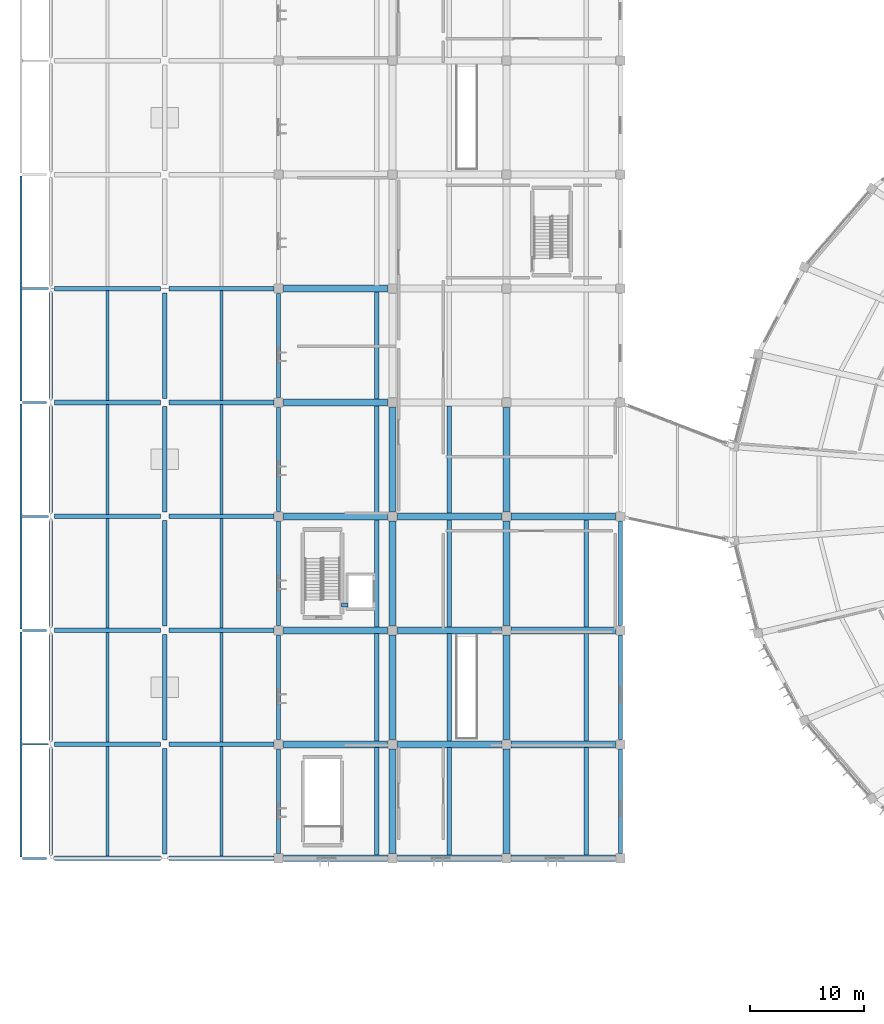
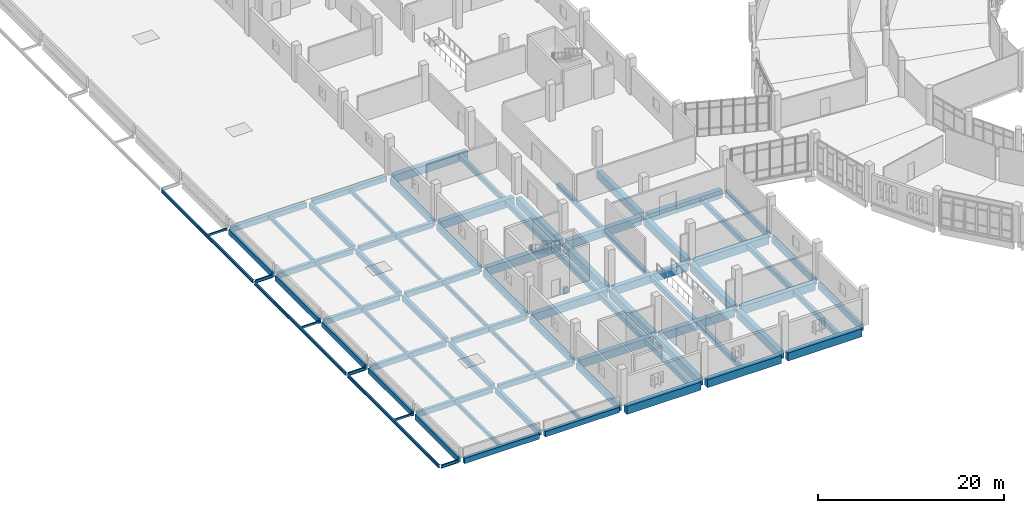
# One storey, part 4 of 179: 81 beams, 3 members.
"""IFC4 building model written with IfcOpenShell, lengths in metres."""

import ifcopenshell
import ifcopenshell.guid

model = None  # the IFC model being written
_history = None  # IfcOwnerHistory: only IFC2X3 demands one
_inside = {}  # id of a spatial element -> (the spatial element, [elements in it])
_under = {}  # id of a project, library or spatial element -> (it, [spatial elements below it])
_declared = {}  # id of a project -> (the project, [libraries it declares])
_typed = {}  # id of a type object -> (the type object, [elements of that type])
_made_of = {}  # id of a material, layer set ... -> (it, [elements and type objects made of it])


def new_model(schema):
    """Start an empty IFC model of exactly this schema.

    Asked for "IFC4X3", IfcOpenShell would pick the latest addendum, in which some entities
    have other attributes; the version numbers below select the first issue.
    IFC2X3 requires an IfcOwnerHistory on every rooted entity: one is made here for all.
    """
    global model, _history
    if schema == "IFC4X3":
        model = ifcopenshell.file(schema_version=(4, 3, 0, 0))
    else:
        model = ifcopenshell.file(schema=schema)
    _inside.clear()
    _under.clear()
    _declared.clear()
    _typed.clear()
    _made_of.clear()
    _history = None
    if model.schema == "IFC2X3":
        org = make("IfcOrganization", Name="unknown")
        user = make(
            "IfcPersonAndOrganization",
            ThePerson=make("IfcPerson", FamilyName="unknown"),
            TheOrganization=org,
        )
        app = make(
            "IfcApplication",
            ApplicationDeveloper=org,
            Version="unknown",
            ApplicationFullName="unknown",
            ApplicationIdentifier="unknown",
        )
        _history = make(
            "IfcOwnerHistory",
            OwningUser=user,
            OwningApplication=app,
            ChangeAction="ADDED",
            CreationDate=0,
        )
    return model


def make(cls, **values):
    """One entity of the class cls with the attributes given. An attribute that is None is left unset."""
    return model.create_entity(
        cls, **{name: value for name, value in values.items() if value is not None}
    )


def rooted(cls, **values):
    """An entity with a GlobalId (a new one), such as an element, a storey or a relation."""
    return make(cls, GlobalId=ifcopenshell.guid.new(), OwnerHistory=_history, **values)


def si_unit(unit_type, name, prefix=None):
    """IfcSIUnit, for example si_unit("LENGTHUNIT", "METRE", prefix="MILLI")."""
    return make("IfcSIUnit", UnitType=unit_type, Prefix=prefix, Name=name)


def assignment(units):
    """IfcUnitAssignment: the units of a project."""
    return None if units is None else make("IfcUnitAssignment", Units=units)


def point(xyz):
    """IfcCartesianPoint."""
    return None if xyz is None else make("IfcCartesianPoint", Coordinates=xyz)


def direction(xyz):
    """IfcDirection."""
    return None if xyz is None else make("IfcDirection", DirectionRatios=xyz)


def frame(location, z_axis=None, x_axis=None):
    """IfcAxis2Placement3D, a coordinate frame: its origin and axes. An axis left out is left unset."""
    return make(
        "IfcAxis2Placement3D",
        Location=point(location),
        Axis=direction(z_axis),
        RefDirection=direction(x_axis),
    )


def frame_2d(location, x_axis=None):
    """IfcAxis2Placement2D, a coordinate frame in the plane: its origin and x axis."""
    return make(
        "IfcAxis2Placement2D", Location=point(location), RefDirection=direction(x_axis)
    )


def origin():
    """The frame at (0, 0, 0) with its axes left unset."""
    return frame((0.0, 0.0, 0.0))


def origin_2d():
    """The frame at (0, 0) in the plane with its x axis left unset."""
    return frame_2d((0.0, 0.0))


def place(relative_to, where):
    """IfcLocalPlacement: puts the frame where relative to a parent placement (None: the world)."""
    return make(
        "IfcLocalPlacement", PlacementRelTo=relative_to, RelativePlacement=where
    )


def context(
    kind, dimensions, precision=None, world=None, true_north=None, identifier=None
):
    """IfcGeometricRepresentationContext, for example the 3D "Model" context."""
    return make(
        "IfcGeometricRepresentationContext",
        ContextIdentifier=identifier,
        ContextType=kind,
        CoordinateSpaceDimension=dimensions,
        Precision=precision,
        WorldCoordinateSystem=world,
        TrueNorth=true_north,
    )


def subcontext(parent, identifier, kind, view, scale=None):
    """IfcGeometricRepresentationSubContext, for example "Body" below "Model"."""
    return make(
        "IfcGeometricRepresentationSubContext",
        ContextIdentifier=identifier,
        ContextType=kind,
        ParentContext=parent,
        TargetScale=scale,
        TargetView=view,
    )


def project(units=None, contexts=None):
    """IfcProject with its units and contexts."""
    return rooted(
        "IfcProject",
        Name="project",
        RepresentationContexts=contexts,
        UnitsInContext=assignment(units),
    )


def spatial(cls, under=None, at=None, **own):
    """A site, building, storey or space (cls), placed at a placement, below another one or the project."""
    s = rooted(cls, ObjectPlacement=at, **own)
    if under is not None:
        _under.setdefault(under.id(), (under, []))[1].append(s)
    return s


def profile(cls, at=None, kind="AREA", **sizes):
    """A parametric profile (cls). Its sizes go by their IFC names, for example OverallWidth=200.0."""
    return make(cls, ProfileType=kind, Position=at, **sizes)


def rectangle(**sizes):
    """IfcRectangleProfileDef."""
    return profile("IfcRectangleProfileDef", **sizes)


def hollow_rectangle(**sizes):
    """IfcRectangleHollowProfileDef."""
    return profile("IfcRectangleHollowProfileDef", **sizes)


def i_section(**sizes):
    """IfcIShapeProfileDef."""
    return profile("IfcIShapeProfileDef", **sizes)


def extrude(swept, where, along, depth):
    """IfcExtrudedAreaSolid: the profile swept, set in the frame where, extruded along a direction by depth."""
    return make(
        "IfcExtrudedAreaSolid",
        SweptArea=swept,
        Position=where,
        ExtrudedDirection=direction(along),
        Depth=depth,
    )


def shape(context_of_items, identifier, shape_type, items):
    """IfcShapeRepresentation: the items that make up one representation, for example the "Body"."""
    return make(
        "IfcShapeRepresentation",
        ContextOfItems=context_of_items,
        RepresentationIdentifier=identifier,
        RepresentationType=shape_type,
        Items=items,
    )


def material(Name=None, Category=None):
    """IfcMaterial."""
    return make("IfcMaterial", Name=Name, Category=Category)


def material_profile(
    of_material, cross_section, Name=None, Category=None, Priority=None
):
    """IfcMaterialProfile: a cross section and its material."""
    return make(
        "IfcMaterialProfile",
        Name=Name,
        Material=of_material,
        Profile=cross_section,
        Priority=Priority,
        Category=Category,
    )


def profile_set(profiles, Name=None, composite=None):
    """IfcMaterialProfileSet."""
    return make(
        "IfcMaterialProfileSet",
        Name=Name,
        MaterialProfiles=profiles,
        CompositeProfile=composite,
    )


def made_of(thing, what):
    """Note that an element or type object is made of a material, layer set ...; save() writes the relation."""
    if what is not None:
        _made_of.setdefault(what.id(), (what, []))[1].append(thing)
    return thing


def type_object(cls, material=None, **own):
    """A type object (cls), such as IfcWallType, which elements share."""
    return made_of(rooted(cls, **own), material)


def element(
    cls,
    number,
    at=None,
    inside=None,
    cuts=None,
    type_object=None,
    material=None,
    context=None,
    identifier="Body",
    shape_type=None,
    held_by="IfcProductDefinitionShape",
    body=None,
    shapes=None,
    **own,
):
    """One element of the class cls, such as IfcWall. Its Tag is "e" and its number.

    at: its placement. inside: the storey or other place that contains it. cuts: it is an
    opening in that element (IfcRelVoidsElement). A single representation is given by context,
    identifier, shape_type and body (its items); several are given by shapes. held_by: the class
    of the entity that holds the representations. save() writes the other relations.
    """
    e = rooted(cls, Tag="e%d" % number, ObjectPlacement=at, **own)
    if body is not None:
        shapes = [shape(context, identifier, shape_type, body)]
    if shapes is not None:
        e.Representation = make(held_by, Representations=shapes)
    if inside is not None:
        _inside.setdefault(inside.id(), (inside, []))[1].append(e)
    if cuts is not None:
        rooted(
            "IfcRelVoidsElement", RelatingBuildingElement=cuts, RelatedOpeningElement=e
        )
    if type_object is not None:
        _typed.setdefault(type_object.id(), (type_object, []))[1].append(e)
    return made_of(e, material)


def aggregate(whole, parts):
    """IfcRelAggregates: a whole, such as a stair, and the parts it consists of."""
    return rooted("IfcRelAggregates", RelatingObject=whole, RelatedObjects=parts)


def save(model, path):
    """Write the relations noted so far, then the file.

    IfcRelAggregates (storeys below a building ...), IfcRelContainedInSpatialStructure (elements
    in a storey), IfcRelDefinesByType, IfcRelAssociatesMaterial and IfcRelDeclares: one each for
    every whole, place, type object, material and project.
    """
    for whole, parts in _under.values():
        aggregate(whole, parts)
    for where, things in _inside.values():
        rooted(
            "IfcRelContainedInSpatialStructure",
            RelatedElements=things,
            RelatingStructure=where,
        )
    for kind, things in _typed.values():
        rooted("IfcRelDefinesByType", RelatedObjects=things, RelatingType=kind)
    for what, things in _made_of.values():
        rooted("IfcRelAssociatesMaterial", RelatedObjects=things, RelatingMaterial=what)
    for by, libraries in _declared.values():
        rooted("IfcRelDeclares", RelatingContext=by, RelatedDefinitions=libraries)
    model.write(path)


model = new_model("IFC4")

# Units and contexts
model_context = context("Model", 3, precision=1e-05, world=origin(), true_north=direction((0.0, 1.0)))
body_context = subcontext(model_context, "Body", "Model", "MODEL_VIEW")
ifc_project = project(units=[si_unit("LENGTHUNIT", "METRE"), si_unit("AREAUNIT", "SQUARE_METRE"), si_unit("VOLUMEUNIT", "CUBIC_METRE"), si_unit("PLANEANGLEUNIT", "RADIAN"), si_unit("MASSUNIT", "GRAM", prefix="KILO")], contexts=[model_context])

# Site, building, storey
site_placement = place(None, origin())
site = spatial("IfcSite", under=ifc_project, at=site_placement, CompositionType="ELEMENT")
building_placement = place(site_placement, origin())
building = spatial("IfcBuilding", under=site, at=building_placement, Name="Corvandel Quay Wholesale Market", CompositionType="ELEMENT")
storey_placement = place(building_placement, frame((0.0, 0.0, 6.0)))
storey = spatial("IfcBuildingStorey", under=building, at=storey_placement, Name="L01", CompositionType="ELEMENT", Elevation=6.0)

# Members
ifc_material_1 = material(Name="Steel A500 Grade C", Category="steel")
ifc_material_profile_1 = material_profile(ifc_material_1, hollow_rectangle(XDim=0.152099609375, YDim=0.25390625, WallThickness=0.0087890625, at=origin_2d()), Name="HSS10X6X3/8")
ifc_profile_set_1 = profile_set([ifc_material_profile_1], Name="Steel A500 Grade C")
member_type = type_object("IfcMemberType", Name="Canopy Outrigger Rafter RF04 HSS10X6", PredefinedType="RAFTER", material=ifc_profile_set_1)
for number, where, z_axis, x_axis, name in (
    (1, (-0.179931640625, 20.0, -0.35009765625), (-1.0, 0.0, 0.0), (0.0, -1.0, 0.0), "Member MEM-0116"),
    (2, (-0.179931640625, 40.0, -0.35009765625), (-1.0, 0.0, 0.0), (0.0, -1.0, 0.0), "Member MEM-0117"),
    (3, (-0.179931640625, 60.0, -0.35009765625), (-1.0, 0.0, 0.0), (0.0, -1.0, 0.0), "Member MEM-0118"),
):
    element("IfcMember", number, at=place(storey_placement, frame(where, z_axis=z_axis, x_axis=x_axis)), inside=storey, type_object=member_type, Name=name, PredefinedType="RAFTER", context=body_context, shape_type="SweptSolid", body=[
        extrude(hollow_rectangle(XDim=0.152099609375, YDim=0.25390625, WallThickness=0.0087890625, at=origin_2d()), origin(), (0.0, 0.0, 1.0), 2.300048828125),
    ])

# Beams
ifc_material_2 = material(Name="Steel A992 Grade 50", Category="steel")
ifc_material_profile_2 = material_profile(ifc_material_2, i_section(OverallWidth=0.177978515625, OverallDepth=0.406005859375, WebThickness=0.0078125, FlangeThickness=0.0126953125, at=origin_2d()), Name="W16X40")
ifc_profile_set_2 = profile_set([ifc_material_profile_2], Name="Steel A992 Grade 50")
beam_type_1 = type_object("IfcBeamType", Name="Canopy Steel Edge Beam SB01 W16X40", PredefinedType="BEAM", material=ifc_profile_set_2)
for number, where, z_axis, x_axis, name in (
    (4, (-2.4775390625, 10.0, -0.403076171875), (1.0, 0.0, 0.0), (0.0, 1.0, 0.0), "Beam BM-0985"),
    (5, (-2.4775390625, 30.0, -0.403076171875), (1.0, 0.0, 0.0), (0.0, 1.0, 0.0), "Beam BM-0986"),
    (6, (-2.4775390625, 50.0, -0.403076171875), (1.0, 0.0, 0.0), (0.0, 1.0, 0.0), "Beam BM-0987"),
):
    element("IfcBeam", number, at=place(storey_placement, frame(where, z_axis=z_axis, x_axis=x_axis)), inside=storey, type_object=beam_type_1, Name=name, PredefinedType="BEAM", context=body_context, shape_type="SweptSolid", body=[
        extrude(i_section(OverallWidth=0.177978515625, OverallDepth=0.406005859375, WebThickness=0.0078125, FlangeThickness=0.0126953125, at=origin_2d()), origin(), (0.0, 0.0, 1.0), 2.132568359375),
    ])
for number, where, z_axis, x_axis, name in (
    (7, (-2.60009765625, 10.12255859375, -0.403076171875), (0.0, 1.0, 0.0), (-1.0, 0.0, 0.0), "Beam BM-0991"),
    (8, (-2.60009765625, 30.12255859375, -0.403076171875), (0.0, 1.0, 0.0), (-1.0, 0.0, 0.0), "Beam BM-0992"),
    (9, (-2.60009765625, 50.12255859375, -0.403076171875), (0.0, 1.0, 0.0), (-1.0, 0.0, 0.0), "Beam BM-0993"),
):
    element("IfcBeam", number, at=place(storey_placement, frame(where, z_axis=z_axis, x_axis=x_axis)), inside=storey, type_object=beam_type_1, Name=name, PredefinedType="BEAM", context=body_context, shape_type="SweptSolid", body=[
        extrude(i_section(OverallWidth=0.177978515625, OverallDepth=0.406005859375, WebThickness=0.0078125, FlangeThickness=0.0126953125, at=origin_2d()), origin(), (0.0, 0.0, 1.0), 19.7548828125),
    ])
ifc_material_3 = material(Name="Precast concrete C45/55", Category="concrete")
ifc_material_profile_3 = material_profile(ifc_material_3, rectangle(XDim=0.60009765625, YDim=1.050048828125, at=origin_2d()), Name="PC-GIR-600x1050")
ifc_profile_set_3 = profile_set([ifc_material_profile_3], Name="Precast concrete C45/55")
beam_type_2 = type_object("IfcBeamType", Name="Cold Store Primary Girder G01 600x1050", PredefinedType="USERDEFINED", material=ifc_profile_set_3)
for number, where, z_axis, x_axis, name in (
    (10, (20.419921875, 10.0, -0.885009765625), (1.0, 0.0, 0.0), (0.0, 1.0, 0.0), "Beam BM-1016"),
    (11, (30.419921875, 10.0, -0.885009765625), (1.0, 0.0, 0.0), (0.0, 1.0, 0.0), "Beam BM-1017"),
    (12, (40.419921875, 10.0, -0.885009765625), (1.0, 0.0, 0.0), (0.0, 1.0, 0.0), "Beam BM-1018"),
    (13, (20.419921875, 20.0, -0.885009765625), (1.0, 0.0, 0.0), (0.0, 1.0, 0.0), "Beam BM-1019"),
    (14, (30.419921875, 20.0, -0.885009765625), (1.0, 0.0, 0.0), (0.0, 1.0, 0.0), "Beam BM-1020"),
    (15, (40.419921875, 20.0, -0.885009765625), (1.0, 0.0, 0.0), (0.0, 1.0, 0.0), "Beam BM-1021"),
    (16, (20.419921875, 30.0, -0.885009765625), (1.0, 0.0, 0.0), (0.0, 1.0, 0.0), "Beam BM-1022"),
    (17, (30.419921875, 30.0, -0.885009765625), (1.0, 0.0, 0.0), (0.0, 1.0, 0.0), "Beam BM-1023"),
    (18, (40.419921875, 30.0, -0.885009765625), (1.0, 0.0, 0.0), (0.0, 1.0, 0.0), "Beam BM-1024"),
    (19, (20.419921875, 40.0, -0.885009765625), (1.0, 0.0, 0.0), (0.0, 1.0, 0.0), "Beam BM-1025"),
    (20, (30.419921875, 40.0, -0.885009765625), (1.0, 0.0, 0.0), (0.0, 1.0, 0.0), "Beam BM-1026"),
    (21, (40.419921875, 40.0, -0.885009765625), (1.0, 0.0, 0.0), (0.0, 1.0, 0.0), "Beam BM-1027"),
    (22, (20.419921875, 50.0, -0.885009765625), (1.0, 0.0, 0.0), (0.0, 1.0, 0.0), "Beam BM-1028"),
    (23, (20.419921875, 60.0, -0.885009765625), (1.0, 0.0, 0.0), (0.0, 1.0, 0.0), "Beam BM-1031"),
    (24, (30.0, 10.419921875, -0.885009765625), (0.0, 1.0, 0.0), (-1.0, 0.0, 0.0), "Beam BM-1071"),
    (25, (30.0, 20.419921875, -0.885009765625), (0.0, 1.0, 0.0), (-1.0, 0.0, 0.0), "Beam BM-1072"),
    (26, (30.0, 30.419921875, -0.885009765625), (0.0, 1.0, 0.0), (-1.0, 0.0, 0.0), "Beam BM-1073"),
    (27, (30.0, 40.419921875, -0.885009765625), (0.0, 1.0, 0.0), (-1.0, 0.0, 0.0), "Beam BM-1074"),
    (28, (40.0, 10.419921875, -0.885009765625), (0.0, 1.0, 0.0), (-1.0, 0.0, 0.0), "Beam BM-1084"),
    (29, (40.0, 20.419921875, -0.885009765625), (0.0, 1.0, 0.0), (-1.0, 0.0, 0.0), "Beam BM-1085"),
    (30, (40.0, 30.419921875, -0.885009765625), (0.0, 1.0, 0.0), (-1.0, 0.0, 0.0), "Beam BM-1086"),
    (31, (40.0, 40.419921875, -0.885009765625), (0.0, 1.0, 0.0), (-1.0, 0.0, 0.0), "Beam BM-1087"),
):
    element("IfcBeam", number, at=place(storey_placement, frame(where, z_axis=z_axis, x_axis=x_axis)), inside=storey, type_object=beam_type_2, Name=name, ObjectType="GIRDER", PredefinedType="USERDEFINED", context=body_context, shape_type="SweptSolid", body=[
        extrude(rectangle(XDim=0.60009765625, YDim=1.050048828125, at=origin_2d()), origin(), (0.0, 0.0, 1.0), 9.16015625),
    ])
ifc_material_profile_4 = material_profile(ifc_material_3, rectangle(XDim=0.39990234375, YDim=0.64990234375, at=origin_2d()), Name="PC-BM-400x650")
ifc_profile_set_4 = profile_set([ifc_material_profile_4], Name="Precast concrete C45/55")
beam_type_3 = type_object("IfcBeamType", Name="Cold Store Secondary Beam B01 400x650", PredefinedType="BEAM", material=ifc_profile_set_4)
for number, where, z_axis, x_axis, name in (
    (32, (28.60009765625, 10.2900390625, -0.68505859375), (0.0, 1.0, 0.0), (-1.0, 0.0, 0.0), "Beam BM-1110"),
    (33, (28.60009765625, 20.2900390625, -0.68505859375), (0.0, 1.0, 0.0), (-1.0, 0.0, 0.0), "Beam BM-1111"),
    (34, (28.60009765625, 30.2900390625, -0.68505859375), (0.0, 1.0, 0.0), (-1.0, 0.0, 0.0), "Beam BM-1112"),
    (35, (28.60009765625, 40.2900390625, -0.68505859375), (0.0, 1.0, 0.0), (-1.0, 0.0, 0.0), "Beam BM-1113"),
    (36, (28.60009765625, 50.2900390625, -0.68505859375), (0.0, 1.0, 0.0), (-1.0, 0.0, 0.0), "Beam BM-1114"),
    (37, (35.0, 10.2900390625, -0.68505859375), (0.0, 1.0, 0.0), (-1.0, 0.0, 0.0), "Beam BM-1123"),
    (38, (35.0, 20.2900390625, -0.68505859375), (0.0, 1.0, 0.0), (-1.0, 0.0, 0.0), "Beam BM-1124"),
    (39, (35.0, 30.2900390625, -0.68505859375), (0.0, 1.0, 0.0), (-1.0, 0.0, 0.0), "Beam BM-1125"),
    (40, (35.0, 40.2900390625, -0.68505859375), (0.0, 1.0, 0.0), (-1.0, 0.0, 0.0), "Beam BM-1126"),
    (41, (47.0, 10.2900390625, -0.68505859375), (0.0, 1.0, 0.0), (-1.0, 0.0, 0.0), "Beam BM-1136"),
    (42, (47.0, 20.2900390625, -0.68505859375), (0.0, 1.0, 0.0), (-1.0, 0.0, 0.0), "Beam BM-1137"),
    (43, (47.0, 30.2900390625, -0.68505859375), (0.0, 1.0, 0.0), (-1.0, 0.0, 0.0), "Beam BM-1138"),
):
    element("IfcBeam", number, at=place(storey_placement, frame(where, z_axis=z_axis, x_axis=x_axis)), inside=storey, type_object=beam_type_3, Name=name, PredefinedType="BEAM", context=body_context, shape_type="SweptSolid", body=[
        extrude(rectangle(XDim=0.39990234375, YDim=0.64990234375, at=origin_2d()), origin(), (0.0, 0.0, 1.0), 9.419921875),
    ])
ifc_material_4 = material(Name="Concrete C40/50", Category="concrete")
ifc_material_profile_5 = material_profile(ifc_material_4, rectangle(XDim=0.35009765625, YDim=0.800048828125, at=origin_2d()), Name="RC-CPL-350x800")
ifc_profile_set_5 = profile_set([ifc_material_profile_5], Name="Concrete C40/50")
beam_type_4 = type_object("IfcBeamType", Name="Core Shear Wall Coupling Beam CP01 350x800", PredefinedType="BEAM", material=ifc_profile_set_5)
beam_1_placement = place(storey_placement, frame((25.52490234375, 32.25, -0.64990234375), z_axis=(1.0, 0.0, 0.0), x_axis=(0.0, 1.0, 0.0)))
element("IfcBeam", 44, at=beam_1_placement, inside=storey, type_object=beam_type_4, Name="Core Coupling Beam K4-L01", PredefinedType="BEAM", context=body_context, shape_type="SweptSolid", body=[
    extrude(rectangle(XDim=0.35009765625, YDim=0.800048828125, at=origin_2d()), origin(), (0.0, 0.0, 1.0), 0.550048828125),
])
ifc_material_profile_6 = material_profile(ifc_material_3, rectangle(XDim=0.35009765625, YDim=0.85009765625, at=origin_2d()), Name="PC-SPN-350x850")
ifc_profile_set_6 = profile_set([ifc_material_profile_6], Name="Precast concrete C45/55")
beam_type_5 = type_object("IfcBeamType", Name="Perimeter Precast Spandrel SP01 350x850", PredefinedType="SPANDREL", material=ifc_profile_set_6)
for number, where, z_axis, x_axis, name in (
    (45, (20.0, 10.419921875, -0.784912109375), (0.0, 1.0, 0.0), (-1.0, 0.0, 0.0), "Beam BM-1058"),
    (46, (20.0, 20.419921875, -0.784912109375), (0.0, 1.0, 0.0), (-1.0, 0.0, 0.0), "Beam BM-1059"),
    (47, (20.0, 30.419921875, -0.784912109375), (0.0, 1.0, 0.0), (-1.0, 0.0, 0.0), "Beam BM-1060"),
    (48, (20.0, 40.419921875, -0.784912109375), (0.0, 1.0, 0.0), (-1.0, 0.0, 0.0), "Beam BM-1061"),
    (49, (20.0, 50.419921875, -0.784912109375), (0.0, 1.0, 0.0), (-1.0, 0.0, 0.0), "Beam BM-1062"),
    (50, (50.0, 10.419921875, -0.784912109375), (0.0, 1.0, 0.0), (-1.0, 0.0, 0.0), "Beam BM-1097"),
    (51, (50.0, 20.419921875, -0.784912109375), (0.0, 1.0, 0.0), (-1.0, 0.0, 0.0), "Beam BM-1098"),
    (52, (50.0, 30.419921875, -0.784912109375), (0.0, 1.0, 0.0), (-1.0, 0.0, 0.0), "Beam BM-1099"),
):
    element("IfcBeam", number, at=place(storey_placement, frame(where, z_axis=z_axis, x_axis=x_axis)), inside=storey, type_object=beam_type_5, Name=name, PredefinedType="SPANDREL", context=body_context, shape_type="SweptSolid", body=[
        extrude(rectangle(XDim=0.35009765625, YDim=0.85009765625, at=origin_2d()), origin(), (0.0, 0.0, 1.0), 9.16015625),
    ])
ifc_material_profile_7 = material_profile(ifc_material_3, rectangle(XDim=0.39990234375, YDim=0.699951171875, at=origin_2d()), Name="PC-GIR-400x700")
ifc_profile_set_7 = profile_set([ifc_material_profile_7], Name="Precast concrete C45/55")
beam_type_6 = type_object("IfcBeamType", Name="Roof Deck Primary Girder G07 400x700", PredefinedType="USERDEFINED", material=ifc_profile_set_7)
beam_2_placement = place(storey_placement, frame((0.344970703125, 10.0, -0.550048828125), z_axis=(1.0, 0.0, 0.0), x_axis=(0.0, 1.0, 0.0)))
element("IfcBeam", 53, at=beam_2_placement, inside=storey, type_object=beam_type_6, Name="Beam BM-0943", ObjectType="GIRDER", PredefinedType="USERDEFINED", context=body_context, shape_type="SweptSolid", body=[
    extrude(rectangle(XDim=0.39990234375, YDim=0.699951171875, at=origin_2d()), origin(), (0.0, 0.0, 1.0), 9.284912109375),
])
beam_3_placement = place(storey_placement, frame((10.3701171875, 10.0, -0.550048828125), z_axis=(1.0, 0.0, 0.0), x_axis=(0.0, 1.0, 0.0)))
element("IfcBeam", 54, at=beam_3_placement, inside=storey, type_object=beam_type_6, Name="Beam BM-0944", ObjectType="GIRDER", PredefinedType="USERDEFINED", context=body_context, shape_type="SweptSolid", body=[
    extrude(rectangle(XDim=0.39990234375, YDim=0.699951171875, at=origin_2d()), origin(), (0.0, 0.0, 1.0), 9.2099609375),
])
beam_4_placement = place(storey_placement, frame((0.344970703125, 20.0, -0.550048828125), z_axis=(1.0, 0.0, 0.0), x_axis=(0.0, 1.0, 0.0)))
element("IfcBeam", 55, at=beam_4_placement, inside=storey, type_object=beam_type_6, Name="Beam BM-0945", ObjectType="GIRDER", PredefinedType="USERDEFINED", context=body_context, shape_type="SweptSolid", body=[
    extrude(rectangle(XDim=0.39990234375, YDim=0.699951171875, at=origin_2d()), origin(), (0.0, 0.0, 1.0), 9.284912109375),
])
beam_5_placement = place(storey_placement, frame((10.3701171875, 20.0, -0.550048828125), z_axis=(1.0, 0.0, 0.0), x_axis=(0.0, 1.0, 0.0)))
element("IfcBeam", 56, at=beam_5_placement, inside=storey, type_object=beam_type_6, Name="Beam BM-0946", ObjectType="GIRDER", PredefinedType="USERDEFINED", context=body_context, shape_type="SweptSolid", body=[
    extrude(rectangle(XDim=0.39990234375, YDim=0.699951171875, at=origin_2d()), origin(), (0.0, 0.0, 1.0), 9.2099609375),
])
beam_6_placement = place(storey_placement, frame((0.344970703125, 30.0, -0.550048828125), z_axis=(1.0, 0.0, 0.0), x_axis=(0.0, 1.0, 0.0)))
element("IfcBeam", 57, at=beam_6_placement, inside=storey, type_object=beam_type_6, Name="Beam BM-0947", ObjectType="GIRDER", PredefinedType="USERDEFINED", context=body_context, shape_type="SweptSolid", body=[
    extrude(rectangle(XDim=0.39990234375, YDim=0.699951171875, at=origin_2d()), origin(), (0.0, 0.0, 1.0), 9.284912109375),
])
beam_7_placement = place(storey_placement, frame((10.3701171875, 30.0, -0.550048828125), z_axis=(1.0, 0.0, 0.0), x_axis=(0.0, 1.0, 0.0)))
element("IfcBeam", 58, at=beam_7_placement, inside=storey, type_object=beam_type_6, Name="Beam BM-0948", ObjectType="GIRDER", PredefinedType="USERDEFINED", context=body_context, shape_type="SweptSolid", body=[
    extrude(rectangle(XDim=0.39990234375, YDim=0.699951171875, at=origin_2d()), origin(), (0.0, 0.0, 1.0), 9.2099609375),
])
beam_8_placement = place(storey_placement, frame((0.344970703125, 40.0, -0.550048828125), z_axis=(1.0, 0.0, 0.0), x_axis=(0.0, 1.0, 0.0)))
element("IfcBeam", 59, at=beam_8_placement, inside=storey, type_object=beam_type_6, Name="Beam BM-0949", ObjectType="GIRDER", PredefinedType="USERDEFINED", context=body_context, shape_type="SweptSolid", body=[
    extrude(rectangle(XDim=0.39990234375, YDim=0.699951171875, at=origin_2d()), origin(), (0.0, 0.0, 1.0), 9.284912109375),
])
beam_9_placement = place(storey_placement, frame((10.3701171875, 40.0, -0.550048828125), z_axis=(1.0, 0.0, 0.0), x_axis=(0.0, 1.0, 0.0)))
element("IfcBeam", 60, at=beam_9_placement, inside=storey, type_object=beam_type_6, Name="Beam BM-0950", ObjectType="GIRDER", PredefinedType="USERDEFINED", context=body_context, shape_type="SweptSolid", body=[
    extrude(rectangle(XDim=0.39990234375, YDim=0.699951171875, at=origin_2d()), origin(), (0.0, 0.0, 1.0), 9.2099609375),
])
beam_10_placement = place(storey_placement, frame((0.344970703125, 50.0, -0.550048828125), z_axis=(1.0, 0.0, 0.0), x_axis=(0.0, 1.0, 0.0)))
element("IfcBeam", 61, at=beam_10_placement, inside=storey, type_object=beam_type_6, Name="Beam BM-0951", ObjectType="GIRDER", PredefinedType="USERDEFINED", context=body_context, shape_type="SweptSolid", body=[
    extrude(rectangle(XDim=0.39990234375, YDim=0.699951171875, at=origin_2d()), origin(), (0.0, 0.0, 1.0), 9.284912109375),
])
beam_11_placement = place(storey_placement, frame((10.3701171875, 50.0, -0.550048828125), z_axis=(1.0, 0.0, 0.0), x_axis=(0.0, 1.0, 0.0)))
element("IfcBeam", 62, at=beam_11_placement, inside=storey, type_object=beam_type_6, Name="Beam BM-0952", ObjectType="GIRDER", PredefinedType="USERDEFINED", context=body_context, shape_type="SweptSolid", body=[
    extrude(rectangle(XDim=0.39990234375, YDim=0.699951171875, at=origin_2d()), origin(), (0.0, 0.0, 1.0), 9.2099609375),
])
beam_12_placement = place(storey_placement, frame((0.344970703125, 60.0, -0.550048828125), z_axis=(1.0, 0.0, 0.0), x_axis=(0.0, 1.0, 0.0)))
element("IfcBeam", 63, at=beam_12_placement, inside=storey, type_object=beam_type_6, Name="Beam BM-0953", ObjectType="GIRDER", PredefinedType="USERDEFINED", context=body_context, shape_type="SweptSolid", body=[
    extrude(rectangle(XDim=0.39990234375, YDim=0.699951171875, at=origin_2d()), origin(), (0.0, 0.0, 1.0), 9.284912109375),
])
beam_13_placement = place(storey_placement, frame((10.3701171875, 60.0, -0.550048828125), z_axis=(1.0, 0.0, 0.0), x_axis=(0.0, 1.0, 0.0)))
element("IfcBeam", 64, at=beam_13_placement, inside=storey, type_object=beam_type_6, Name="Beam BM-0954", ObjectType="GIRDER", PredefinedType="USERDEFINED", context=body_context, shape_type="SweptSolid", body=[
    extrude(rectangle(XDim=0.39990234375, YDim=0.699951171875, at=origin_2d()), origin(), (0.0, 0.0, 1.0), 9.2099609375),
])
for number, where, z_axis, x_axis, name in (
    (65, (10.0, 10.3701171875, -0.550048828125), (0.0, 1.0, 0.0), (-1.0, 0.0, 0.0), "Beam BM-0975"),
    (66, (10.0, 20.3701171875, -0.550048828125), (0.0, 1.0, 0.0), (-1.0, 0.0, 0.0), "Beam BM-0976"),
    (67, (10.0, 30.3701171875, -0.550048828125), (0.0, 1.0, 0.0), (-1.0, 0.0, 0.0), "Beam BM-0977"),
    (68, (10.0, 40.3701171875, -0.550048828125), (0.0, 1.0, 0.0), (-1.0, 0.0, 0.0), "Beam BM-0978"),
    (69, (10.0, 50.3701171875, -0.550048828125), (0.0, 1.0, 0.0), (-1.0, 0.0, 0.0), "Beam BM-0979"),
):
    element("IfcBeam", number, at=place(storey_placement, frame(where, z_axis=z_axis, x_axis=x_axis)), inside=storey, type_object=beam_type_6, Name=name, ObjectType="GIRDER", PredefinedType="USERDEFINED", context=body_context, shape_type="SweptSolid", body=[
        extrude(rectangle(XDim=0.39990234375, YDim=0.699951171875, at=origin_2d()), origin(), (0.0, 0.0, 1.0), 9.259765625),
    ])
ifc_material_profile_8 = material_profile(ifc_material_3, rectangle(XDim=0.280029296875, YDim=0.449951171875, at=origin_2d()), Name="PC-BM-280x450")
ifc_profile_set_8 = profile_set([ifc_material_profile_8], Name="Precast concrete C45/55")
beam_type_7 = type_object("IfcBeamType", Name="Roof Secondary Beam B05 280x450", PredefinedType="BEAM", material=ifc_profile_set_8)
for number, where, z_axis, x_axis, name in (
    (70, (5.0, 10.18994140625, -0.425048828125), (0.0, 1.0, 0.0), (-1.0, 0.0, 0.0), "Beam BM-0996"),
    (71, (15.0, 10.18994140625, -0.425048828125), (0.0, 1.0, 0.0), (-1.0, 0.0, 0.0), "Beam BM-0997"),
    (72, (5.0, 20.18994140625, -0.425048828125), (0.0, 1.0, 0.0), (-1.0, 0.0, 0.0), "Beam BM-0998"),
    (73, (15.0, 20.18994140625, -0.425048828125), (0.0, 1.0, 0.0), (-1.0, 0.0, 0.0), "Beam BM-0999"),
    (74, (5.0, 30.18994140625, -0.425048828125), (0.0, 1.0, 0.0), (-1.0, 0.0, 0.0), "Beam BM-1000"),
    (75, (15.0, 30.18994140625, -0.425048828125), (0.0, 1.0, 0.0), (-1.0, 0.0, 0.0), "Beam BM-1001"),
    (76, (5.0, 40.18994140625, -0.425048828125), (0.0, 1.0, 0.0), (-1.0, 0.0, 0.0), "Beam BM-1002"),
    (77, (15.0, 40.18994140625, -0.425048828125), (0.0, 1.0, 0.0), (-1.0, 0.0, 0.0), "Beam BM-1003"),
    (78, (5.0, 50.18994140625, -0.425048828125), (0.0, 1.0, 0.0), (-1.0, 0.0, 0.0), "Beam BM-1004"),
    (79, (15.0, 50.18994140625, -0.425048828125), (0.0, 1.0, 0.0), (-1.0, 0.0, 0.0), "Beam BM-1005"),
):
    element("IfcBeam", number, at=place(storey_placement, frame(where, z_axis=z_axis, x_axis=x_axis)), inside=storey, type_object=beam_type_7, Name=name, PredefinedType="BEAM", context=body_context, shape_type="SweptSolid", body=[
        extrude(rectangle(XDim=0.280029296875, YDim=0.449951171875, at=origin_2d()), origin(), (0.0, 0.0, 1.0), 9.6201171875),
    ])
ifc_material_profile_9 = material_profile(ifc_material_3, rectangle(XDim=0.300048828125, YDim=0.699951171875, at=origin_2d()), Name="PC-SPN-300x700")
ifc_profile_set_9 = profile_set([ifc_material_profile_9], Name="Precast concrete C45/55")
beam_type_8 = type_object("IfcBeamType", Name="Terrace Edge Spandrel SP03 300x700", PredefinedType="SPANDREL", material=ifc_profile_set_9)
for number, where, z_axis, x_axis, name in (
    (80, (0.0, 10.344970703125, -0.550048828125), (0.0, 1.0, 0.0), (-1.0, 0.0, 0.0), "Beam BM-0965"),
    (81, (0.0, 20.344970703125, -0.550048828125), (0.0, 1.0, 0.0), (-1.0, 0.0, 0.0), "Beam BM-0966"),
    (82, (0.0, 30.344970703125, -0.550048828125), (0.0, 1.0, 0.0), (-1.0, 0.0, 0.0), "Beam BM-0967"),
    (83, (0.0, 40.344970703125, -0.550048828125), (0.0, 1.0, 0.0), (-1.0, 0.0, 0.0), "Beam BM-0968"),
    (84, (0.0, 50.344970703125, -0.550048828125), (0.0, 1.0, 0.0), (-1.0, 0.0, 0.0), "Beam BM-0969"),
):
    element("IfcBeam", number, at=place(storey_placement, frame(where, z_axis=z_axis, x_axis=x_axis)), inside=storey, type_object=beam_type_8, Name=name, PredefinedType="SPANDREL", context=body_context, shape_type="SweptSolid", body=[
        extrude(rectangle(XDim=0.300048828125, YDim=0.699951171875, at=origin_2d()), origin(), (0.0, 0.0, 1.0), 9.31005859375),
    ])

save(model, "model.ifc")
